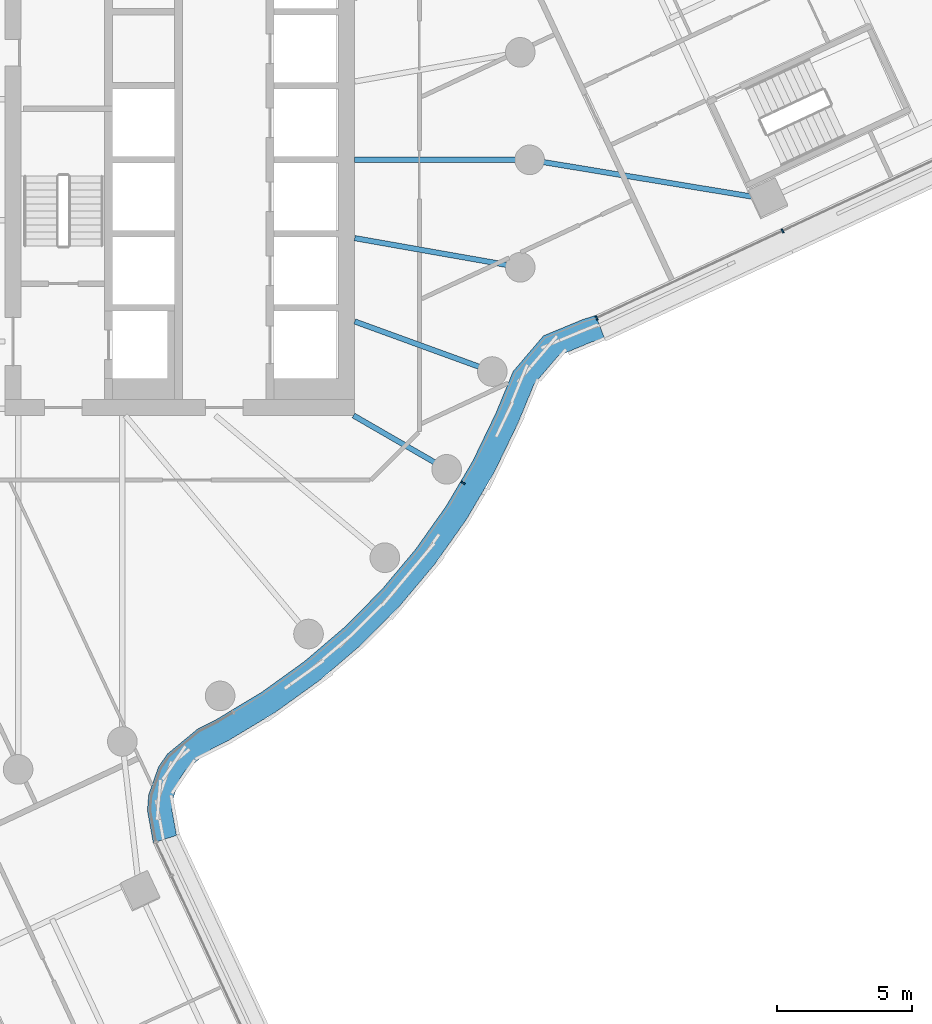
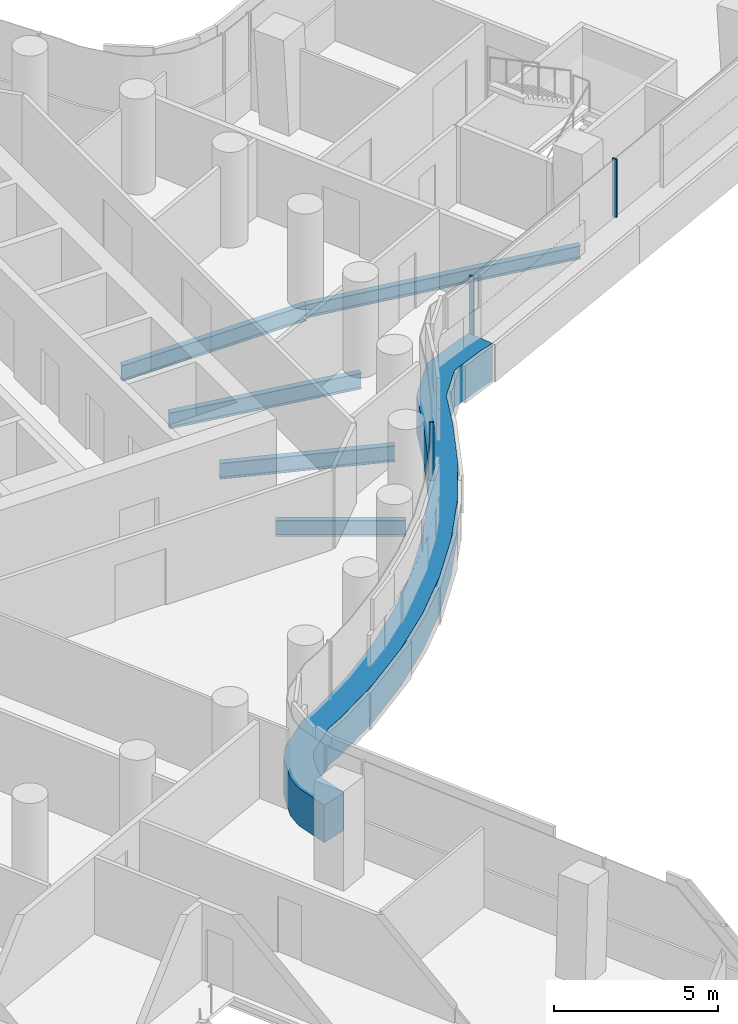
# One storey, part 11 of 36: 5 beams, 4 members, 2 elements without a shape of their own.
"""IFC4 building model written with IfcOpenShell, lengths in metres."""

import ifcopenshell
import ifcopenshell.guid

model = None  # the IFC model being written
_history = None  # IfcOwnerHistory: only IFC2X3 demands one
_inside = {}  # id of a spatial element -> (the spatial element, [elements in it])
_under = {}  # id of a project, library or spatial element -> (it, [spatial elements below it])
_declared = {}  # id of a project -> (the project, [libraries it declares])
_typed = {}  # id of a type object -> (the type object, [elements of that type])
_made_of = {}  # id of a material, layer set ... -> (it, [elements and type objects made of it])


def new_model(schema):
    """Start an empty IFC model of exactly this schema.

    Asked for "IFC4X3", IfcOpenShell would pick the latest addendum, in which some entities
    have other attributes; the version numbers below select the first issue.
    IFC2X3 requires an IfcOwnerHistory on every rooted entity: one is made here for all.
    """
    global model, _history
    if schema == "IFC4X3":
        model = ifcopenshell.file(schema_version=(4, 3, 0, 0))
    else:
        model = ifcopenshell.file(schema=schema)
    _inside.clear()
    _under.clear()
    _declared.clear()
    _typed.clear()
    _made_of.clear()
    _history = None
    if model.schema == "IFC2X3":
        org = make("IfcOrganization", Name="unknown")
        user = make(
            "IfcPersonAndOrganization",
            ThePerson=make("IfcPerson", FamilyName="unknown"),
            TheOrganization=org,
        )
        app = make(
            "IfcApplication",
            ApplicationDeveloper=org,
            Version="unknown",
            ApplicationFullName="unknown",
            ApplicationIdentifier="unknown",
        )
        _history = make(
            "IfcOwnerHistory",
            OwningUser=user,
            OwningApplication=app,
            ChangeAction="ADDED",
            CreationDate=0,
        )
    return model


def make(cls, **values):
    """One entity of the class cls with the attributes given. An attribute that is None is left unset."""
    return model.create_entity(
        cls, **{name: value for name, value in values.items() if value is not None}
    )


def rooted(cls, **values):
    """An entity with a GlobalId (a new one), such as an element, a storey or a relation."""
    return make(cls, GlobalId=ifcopenshell.guid.new(), OwnerHistory=_history, **values)


def si_unit(unit_type, name, prefix=None):
    """IfcSIUnit, for example si_unit("LENGTHUNIT", "METRE", prefix="MILLI")."""
    return make("IfcSIUnit", UnitType=unit_type, Prefix=prefix, Name=name)


def assignment(units):
    """IfcUnitAssignment: the units of a project."""
    return None if units is None else make("IfcUnitAssignment", Units=units)


def point(xyz):
    """IfcCartesianPoint."""
    return None if xyz is None else make("IfcCartesianPoint", Coordinates=xyz)


def direction(xyz):
    """IfcDirection."""
    return None if xyz is None else make("IfcDirection", DirectionRatios=xyz)


def frame(location, z_axis=None, x_axis=None):
    """IfcAxis2Placement3D, a coordinate frame: its origin and axes. An axis left out is left unset."""
    return make(
        "IfcAxis2Placement3D",
        Location=point(location),
        Axis=direction(z_axis),
        RefDirection=direction(x_axis),
    )


def frame_2d(location, x_axis=None):
    """IfcAxis2Placement2D, a coordinate frame in the plane: its origin and x axis."""
    return make(
        "IfcAxis2Placement2D", Location=point(location), RefDirection=direction(x_axis)
    )


def origin():
    """The frame at (0, 0, 0) with its axes left unset."""
    return frame((0.0, 0.0, 0.0))


def origin_2d():
    """The frame at (0, 0) in the plane with its x axis left unset."""
    return frame_2d((0.0, 0.0))


def place(relative_to, where):
    """IfcLocalPlacement: puts the frame where relative to a parent placement (None: the world)."""
    return make(
        "IfcLocalPlacement", PlacementRelTo=relative_to, RelativePlacement=where
    )


def context(
    kind, dimensions, precision=None, world=None, true_north=None, identifier=None
):
    """IfcGeometricRepresentationContext, for example the 3D "Model" context."""
    return make(
        "IfcGeometricRepresentationContext",
        ContextIdentifier=identifier,
        ContextType=kind,
        CoordinateSpaceDimension=dimensions,
        Precision=precision,
        WorldCoordinateSystem=world,
        TrueNorth=true_north,
    )


def subcontext(parent, identifier, kind, view, scale=None):
    """IfcGeometricRepresentationSubContext, for example "Body" below "Model"."""
    return make(
        "IfcGeometricRepresentationSubContext",
        ContextIdentifier=identifier,
        ContextType=kind,
        ParentContext=parent,
        TargetScale=scale,
        TargetView=view,
    )


def project(units=None, contexts=None):
    """IfcProject with its units and contexts."""
    return rooted(
        "IfcProject",
        Name="project",
        RepresentationContexts=contexts,
        UnitsInContext=assignment(units),
    )


def spatial(cls, under=None, at=None, **own):
    """A site, building, storey or space (cls), placed at a placement, below another one or the project."""
    s = rooted(cls, ObjectPlacement=at, **own)
    if under is not None:
        _under.setdefault(under.id(), (under, []))[1].append(s)
    return s


def polyline(points):
    """IfcPolyline through the points."""
    return make("IfcPolyline", Points=[point(p) for p in points])


def profile(cls, at=None, kind="AREA", **sizes):
    """A parametric profile (cls). Its sizes go by their IFC names, for example OverallWidth=200.0."""
    return make(cls, ProfileType=kind, Position=at, **sizes)


def rectangle(**sizes):
    """IfcRectangleProfileDef."""
    return profile("IfcRectangleProfileDef", **sizes)


def i_section(**sizes):
    """IfcIShapeProfileDef."""
    return profile("IfcIShapeProfileDef", **sizes)


def outline(outer, holes=None, kind="AREA"):
    """IfcArbitraryClosedProfileDef: a profile drawn as a closed curve; with holes, ...WithVoids."""
    if holes is None:
        return make("IfcArbitraryClosedProfileDef", ProfileType=kind, OuterCurve=outer)
    return make(
        "IfcArbitraryProfileDefWithVoids",
        ProfileType=kind,
        OuterCurve=outer,
        InnerCurves=holes,
    )


def extrude(swept, where, along, depth):
    """IfcExtrudedAreaSolid: the profile swept, set in the frame where, extruded along a direction by depth."""
    return make(
        "IfcExtrudedAreaSolid",
        SweptArea=swept,
        Position=where,
        ExtrudedDirection=direction(along),
        Depth=depth,
    )


def shape(context_of_items, identifier, shape_type, items):
    """IfcShapeRepresentation: the items that make up one representation, for example the "Body"."""
    return make(
        "IfcShapeRepresentation",
        ContextOfItems=context_of_items,
        RepresentationIdentifier=identifier,
        RepresentationType=shape_type,
        Items=items,
    )


def material(Name=None, Category=None):
    """IfcMaterial."""
    return make("IfcMaterial", Name=Name, Category=Category)


def layer(
    of_material, thickness, ventilated=None, Name=None, Category=None, Priority=None
):
    """IfcMaterialLayer: one layer of a wall or slab, of a material (None: an air gap)."""
    return make(
        "IfcMaterialLayer",
        Material=of_material,
        LayerThickness=thickness,
        IsVentilated=ventilated,
        Name=Name,
        Category=Category,
        Priority=Priority,
    )


def layer_set(layers, Name=None):
    """IfcMaterialLayerSet."""
    return make("IfcMaterialLayerSet", MaterialLayers=layers, LayerSetName=Name)


def material_profile(
    of_material, cross_section, Name=None, Category=None, Priority=None
):
    """IfcMaterialProfile: a cross section and its material."""
    return make(
        "IfcMaterialProfile",
        Name=Name,
        Material=of_material,
        Profile=cross_section,
        Priority=Priority,
        Category=Category,
    )


def profile_set(profiles, Name=None, composite=None):
    """IfcMaterialProfileSet."""
    return make(
        "IfcMaterialProfileSet",
        Name=Name,
        MaterialProfiles=profiles,
        CompositeProfile=composite,
    )


def made_of(thing, what):
    """Note that an element or type object is made of a material, layer set ...; save() writes the relation."""
    if what is not None:
        _made_of.setdefault(what.id(), (what, []))[1].append(thing)
    return thing


def type_object(cls, material=None, **own):
    """A type object (cls), such as IfcWallType, which elements share."""
    return made_of(rooted(cls, **own), material)


def element(
    cls,
    number,
    at=None,
    inside=None,
    cuts=None,
    type_object=None,
    material=None,
    context=None,
    identifier="Body",
    shape_type=None,
    held_by="IfcProductDefinitionShape",
    body=None,
    shapes=None,
    **own,
):
    """One element of the class cls, such as IfcWall. Its Tag is "e" and its number.

    at: its placement. inside: the storey or other place that contains it. cuts: it is an
    opening in that element (IfcRelVoidsElement). A single representation is given by context,
    identifier, shape_type and body (its items); several are given by shapes. held_by: the class
    of the entity that holds the representations. save() writes the other relations.
    """
    e = rooted(cls, Tag="e%d" % number, ObjectPlacement=at, **own)
    if body is not None:
        shapes = [shape(context, identifier, shape_type, body)]
    if shapes is not None:
        e.Representation = make(held_by, Representations=shapes)
    if inside is not None:
        _inside.setdefault(inside.id(), (inside, []))[1].append(e)
    if cuts is not None:
        rooted(
            "IfcRelVoidsElement", RelatingBuildingElement=cuts, RelatedOpeningElement=e
        )
    if type_object is not None:
        _typed.setdefault(type_object.id(), (type_object, []))[1].append(e)
    return made_of(e, material)


def aggregate(whole, parts):
    """IfcRelAggregates: a whole, such as a stair, and the parts it consists of."""
    return rooted("IfcRelAggregates", RelatingObject=whole, RelatedObjects=parts)


def save(model, path):
    """Write the relations noted so far, then the file.

    IfcRelAggregates (storeys below a building ...), IfcRelContainedInSpatialStructure (elements
    in a storey), IfcRelDefinesByType, IfcRelAssociatesMaterial and IfcRelDeclares: one each for
    every whole, place, type object, material and project.
    """
    for whole, parts in _under.values():
        aggregate(whole, parts)
    for where, things in _inside.values():
        rooted(
            "IfcRelContainedInSpatialStructure",
            RelatedElements=things,
            RelatingStructure=where,
        )
    for kind, things in _typed.values():
        rooted("IfcRelDefinesByType", RelatedObjects=things, RelatingType=kind)
    for what, things in _made_of.values():
        rooted("IfcRelAssociatesMaterial", RelatedObjects=things, RelatingMaterial=what)
    for by, libraries in _declared.values():
        rooted("IfcRelDeclares", RelatingContext=by, RelatedDefinitions=libraries)
    model.write(path)


model = new_model("IFC4")

# Units and contexts
model_context = context("Model", 3, precision=1e-05, world=origin(), true_north=direction((0.0, 1.0)))
body_context = subcontext(model_context, "Body", "Model", "MODEL_VIEW")
ifc_project = project(units=[si_unit("LENGTHUNIT", "METRE"), si_unit("AREAUNIT", "SQUARE_METRE"), si_unit("VOLUMEUNIT", "CUBIC_METRE"), si_unit("PLANEANGLEUNIT", "RADIAN"), si_unit("MASSUNIT", "GRAM", prefix="KILO")], contexts=[model_context])

# Site, building, storey
site_placement = place(None, origin())
site = spatial("IfcSite", under=ifc_project, at=site_placement, CompositionType="ELEMENT")
building_placement = place(site_placement, origin())
building = spatial("IfcBuilding", under=site, at=building_placement, Name="Tamarind Cross Interchange Tower", CompositionType="ELEMENT")
storey_placement = place(building_placement, frame((0.0, 0.0, 124.75)))
storey = spatial("IfcBuildingStorey", under=building, at=storey_placement, Name="L30", CompositionType="ELEMENT", Elevation=124.75)

# Beams
ifc_material_1 = material(Name="Steel Q355B", Category="steel")
ifc_material_profile_1 = material_profile(ifc_material_1, i_section(OverallWidth=0.198974609375, OverallDepth=0.49609375, WebThickness=0.009033203125, FlangeThickness=0.013916015625, FilletRadius=0.012939453125, at=origin_2d()), Name="HN 496x199x9x14")
ifc_profile_set_1 = profile_set([ifc_material_profile_1], Name="Steel Q355B")
beam_type_1 = type_object("IfcBeamType", Name="Composite beam HN 496x199x9x14 Q355B", PredefinedType="BEAM", material=ifc_profile_set_1)
beam_1_placement = place(storey_placement, frame((31.8486328125, -1.464111328125, -0.387939453125), z_axis=(-0.986585997627, 0.16324236364, 0.0), x_axis=(-0.16324236364, -0.986585997627, 0.0)))
element("IfcBeam", 1, at=beam_1_placement, inside=storey, type_object=beam_type_1, Name="Beam E-linkem", PredefinedType="BEAM", context=body_context, shape_type="SweptSolid", body=[
    extrude(i_section(OverallWidth=0.198974609375, OverallDepth=0.49609375, WebThickness=0.009033203125, FlangeThickness=0.013916015625, FilletRadius=0.012939453125, at=origin_2d()), origin(), (0.0, 0.0, 1.0), 8.968994140625),
])
ifc_material_profile_2 = material_profile(ifc_material_1, i_section(OverallWidth=0.198974609375, OverallDepth=0.595947265625, WebThickness=0.010009765625, FlangeThickness=0.014892578125, FilletRadius=0.012939453125, at=origin_2d()), Name="HN 596x199x10x15")
ifc_profile_set_2 = profile_set([ifc_material_profile_2], Name="Steel Q355B")
beam_type_2 = type_object("IfcBeamType", Name="Composite beam HN 596x199x10x15 Q355B", PredefinedType="BEAM", material=ifc_profile_set_2)
beam_2_placement = place(storey_placement, frame((23.0, 0.0, -0.43798828125), z_axis=(-1.0, 0.0, 0.0), x_axis=(0.0, -1.0, 0.0)))
element("IfcBeam", 2, at=beam_2_placement, inside=storey, type_object=beam_type_2, Name="Beam HH00", PredefinedType="BEAM", context=body_context, shape_type="SweptSolid", body=[
    extrude(i_section(OverallWidth=0.198974609375, OverallDepth=0.595947265625, WebThickness=0.010009765625, FlangeThickness=0.014892578125, FilletRadius=0.012939453125, at=origin_2d()), origin(), (0.0, 0.0, 1.0), 6.5),
])
beam_3_placement = place(storey_placement, frame((19.918701171875, -11.5, -0.43798828125), z_axis=(-0.866026010844, 0.49999894854, 0.0), x_axis=(-0.49999894854, -0.866026010844, 0.0)))
element("IfcBeam", 3, at=beam_3_placement, inside=storey, type_object=beam_type_2, Name="Beam HH33", PredefinedType="BEAM", context=body_context, shape_type="SweptSolid", body=[
    extrude(i_section(OverallWidth=0.198974609375, OverallDepth=0.595947265625, WebThickness=0.010009765625, FlangeThickness=0.014892578125, FilletRadius=0.012939453125, at=origin_2d()), origin(), (0.0, 0.0, 1.0), 4.0),
])
beam_4_placement = place(storey_placement, frame((21.613037109375, -7.866455078125, -0.43798828125), z_axis=(-0.939701685589, 0.341995236956, 0.0), x_axis=(-0.341995236956, -0.939701685589, 0.0)))
element("IfcBeam", 4, at=beam_4_placement, inside=storey, type_object=beam_type_2, Name="Beam HH34", PredefinedType="BEAM", context=body_context, shape_type="SweptSolid", body=[
    extrude(i_section(OverallWidth=0.198974609375, OverallDepth=0.595947265625, WebThickness=0.010009765625, FlangeThickness=0.014892578125, FilletRadius=0.012939453125, at=origin_2d()), origin(), (0.0, 0.0, 1.0), 5.441162109375),
])
beam_5_placement = place(storey_placement, frame((22.650634765625, -3.993896484375, -0.43798828125), z_axis=(-0.984809127561, 0.173640382036, 0.0), x_axis=(-0.173640382036, -0.984809127561, 0.0)))
element("IfcBeam", 5, at=beam_5_placement, inside=storey, type_object=beam_type_2, Name="Beam HH35", PredefinedType="BEAM", context=body_context, shape_type="SweptSolid", body=[
    extrude(i_section(OverallWidth=0.198974609375, OverallDepth=0.595947265625, WebThickness=0.010009765625, FlangeThickness=0.014892578125, FilletRadius=0.012939453125, at=origin_2d()), origin(), (0.0, 0.0, 1.0), 6.24560546875),
])

# Curtain wall, members
ifc_material_2 = material(Name="Aluminium 6063-T6", Category="aluminium")
ifc_layer = layer(ifc_material_2, 0.159912109375)
ifc_layer_set = layer_set([ifc_layer], Name="Aluminium 6063-T6")
curtain_wall_type = type_object("IfcCurtainWallType", Name="Office curtain wall, 9.0 m bays", PredefinedType="NOTDEFINED", material=ifc_layer_set)
curtain_wall_1_placement = place(storey_placement, origin())
curtain_wall_1 = element("IfcCurtainWall", 6, at=curtain_wall_1_placement, inside=storey, type_object=curtain_wall_type, Name="CWS-L30-06", PredefinedType="NOTDEFINED")
ifc_material_3 = material(Name="Aluminium and insulated spandrel panel", Category="aluminium")
member_type_1 = type_object("IfcMemberType", Name="Floor-edge blade transom", PredefinedType="USERDEFINED", material=ifc_material_3)
member_1_placement = place(storey_placement, origin())
member_1 = element("IfcMember", 7, at=member_1_placement, type_object=member_type_1, Name="CWT-L30-06", ObjectType="TRANSOM", PredefinedType="USERDEFINED", context=body_context, shape_type="SweptSolid", body=[
    extrude(outline(polyline([(9.0146484375, -25.378662109375), (8.797119140625, -24.173828125), (8.84375, -23.59423828125), (9.207763671875, -22.562744140625), (9.537353515625, -22.0791015625), (10.67724609375, -21.13818359375), (11.366455078125, -20.79150390625), (13.045654296875, -19.78125), (14.634521484375, -18.636474609375), (16.12353515625, -17.3642578125), (17.50244140625, -15.973388671875), (18.76171875, -14.4736328125), (19.892822265625, -12.874755859375), (20.88818359375, -11.188232421875), (21.7421875, -9.421630859375), (22.38720703125, -7.85986328125), (23.5146484375, -6.53662109375), (24.962158203125, -5.936767578125), (25.45361328125, -5.78125), (25.781494140625, -6.621337890625), (25.27099609375, -6.783203125), (24.05908203125, -7.28515625), (23.164794921875, -8.335205078125), (22.56396484375, -9.789794921875), (21.68212890625, -11.613525390625), (20.64892578125, -13.3642578125), (19.474853515625, -15.023681640625), (18.167724609375, -16.580810546875), (16.736572265625, -18.0244140625), (15.19091796875, -19.344970703125), (13.54150390625, -20.533203125), (11.801513671875, -21.580322265625), (11.172119140625, -21.896728515625), (10.208984375, -22.69189453125), (10.017578125, -22.97265625), (9.7314453125, -23.783203125), (9.70361328125, -24.129150390625), (9.879638671875, -25.10400390625), (9.0146484375, -25.378662109375)])), origin(), (0.0, 0.0, 1.0), 1.39990234375),
])
ifc_material_profile_3 = material_profile(ifc_material_2, rectangle(XDim=0.06005859375, YDim=0.159912109375, at=origin_2d()), Name="Mullion CW1")
ifc_profile_set_3 = profile_set([ifc_material_profile_3], Name="Aluminium 6063-T6")
member_type_2 = type_object("IfcMemberType", Name="Mullion CW1", PredefinedType="MULLION", material=ifc_profile_set_3)
member_2_placement = place(storey_placement, frame((20.524658203125, -12.0009765625, 1.39990234375), z_axis=(0.0, 0.0, 1.0), x_axis=(0.508183308752, 0.861248933065, 0.0)))
member_2 = element("IfcMember", 8, at=member_2_placement, type_object=member_type_2, Name="CWM-L30-06-02", PredefinedType="MULLION", context=body_context, shape_type="SweptSolid", body=[
    extrude(rectangle(XDim=0.06005859375, YDim=0.159912109375, at=origin_2d()), origin(), (0.0, 0.0, 1.0), 2.170166015625),
])
aggregate(curtain_wall_1, [member_2, member_1])

curtain_wall_2_placement = place(storey_placement, origin())
curtain_wall_2 = element("IfcCurtainWall", 9, at=curtain_wall_2_placement, inside=storey, type_object=curtain_wall_type, Name="CWS-L30-07", PredefinedType="NOTDEFINED")
member_3_placement = place(storey_placement, frame((25.489990234375, -5.87451171875, 1.39990234375), z_axis=(0.0, 0.0, 1.0), x_axis=(0.93153137124, 0.36366097453, 0.0)))
member_3 = element("IfcMember", 10, at=member_3_placement, type_object=member_type_2, Name="CWM-L30-07-00", PredefinedType="MULLION", context=body_context, shape_type="SweptSolid", body=[
    extrude(rectangle(XDim=0.06005859375, YDim=0.159912109375, at=origin_2d()), origin(), (0.0, 0.0, 1.0), 2.170166015625),
])
member_4_placement = place(storey_placement, frame((32.400390625, -2.64111328125, 1.39990234375), z_axis=(0.0, 0.0, 1.0), x_axis=(0.905752325355, 0.423807415123, 0.0)))
member_4 = element("IfcMember", 11, at=member_4_placement, type_object=member_type_2, Name="CWM-L30-07-01", PredefinedType="MULLION", context=body_context, shape_type="SweptSolid", body=[
    extrude(rectangle(XDim=0.06005859375, YDim=0.159912109375, at=origin_2d()), origin(), (0.0, 0.0, 1.0), 2.170166015625),
])
aggregate(curtain_wall_2, [member_3, member_4])

save(model, "model.ifc")
